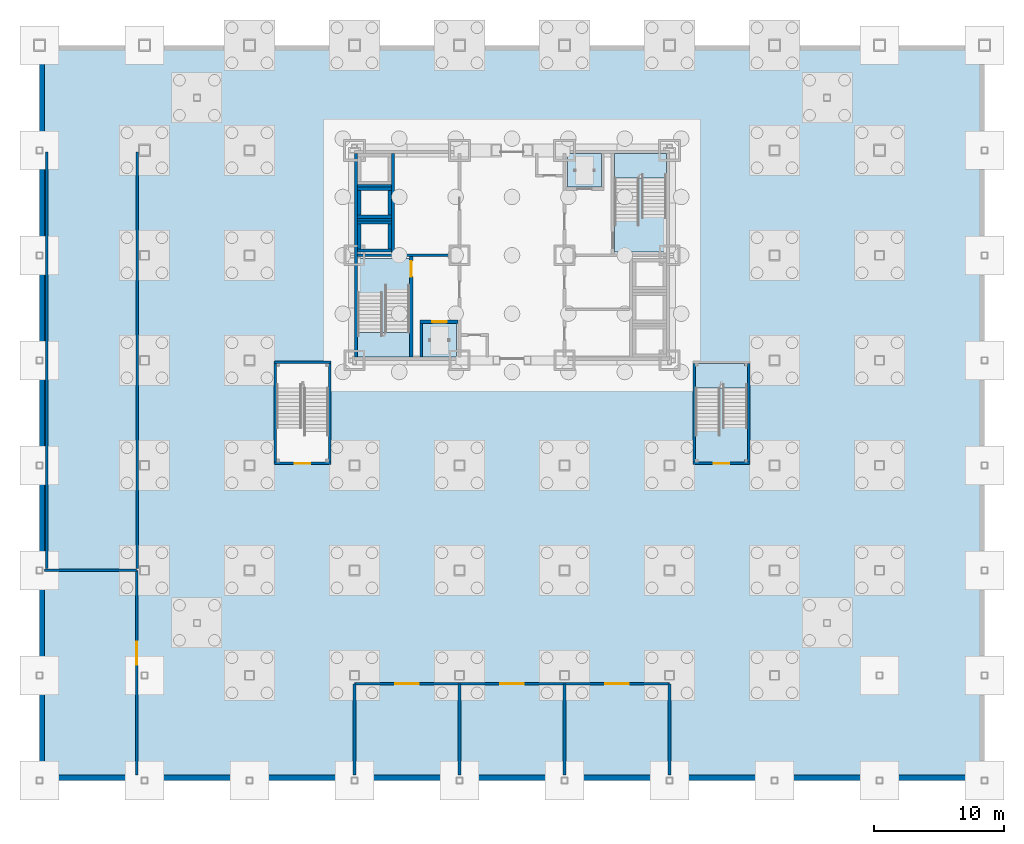
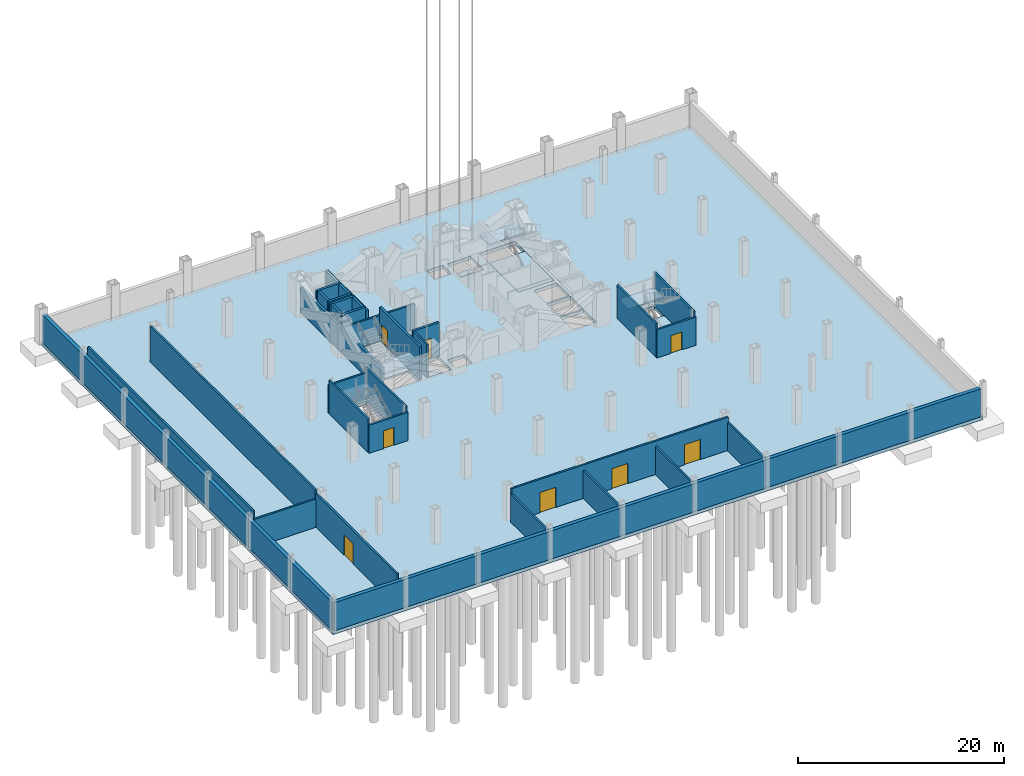
# One storey, part 11 of 17: 34 walls, 9 slabs, 8 doors, 8 openings, 3 elements without a shape of their own.
"""IFC4 building model written with IfcOpenShell, lengths in metres."""

from ifc_helpers import new_model, si_unit, direction, frame, frame_2d, origin, place, context, subcontext, project, spatial, polyline, rectangle, outline, extrude, material, layer, layer_set, type_object, element, fill, aggregate, save


model = new_model("IFC4")

# Units and contexts
model_context = context("Model", 3, precision=1e-05, world=origin(), true_north=direction((0.0, 1.0)))
body_context = subcontext(model_context, "Body", "Model", "MODEL_VIEW")
ifc_project = project(units=[si_unit("LENGTHUNIT", "METRE"), si_unit("AREAUNIT", "SQUARE_METRE"), si_unit("VOLUMEUNIT", "CUBIC_METRE"), si_unit("PLANEANGLEUNIT", "RADIAN"), si_unit("MASSUNIT", "GRAM", prefix="KILO")], contexts=[model_context])

# Site, building, storey
site_placement = place(None, origin())
site = spatial("IfcSite", under=ifc_project, at=site_placement, CompositionType="ELEMENT")
building_placement = place(site_placement, origin())
building = spatial("IfcBuilding", under=site, at=building_placement, Name="Kopane Lantern Tower", CompositionType="ELEMENT")
storey_placement = place(building_placement, frame((0.0, 0.0, -8.39990234375)))
storey = spatial("IfcBuildingStorey", under=building, at=storey_placement, Name="L-02", CompositionType="ELEMENT", Elevation=-8.39990234375)

# Slabs
ifc_material_1 = material(Name="Concrete C40/50", Category="concrete")
ifc_layer_1 = layer(ifc_material_1, 0.300048828125)
ifc_layer_set_1 = layer_set([ifc_layer_1], Name="LIFT PIT SLAB 300")
slab_type_1 = type_object("IfcSlabType", Name="LIFT PIT SLAB 300", PredefinedType="FLOOR", material=ifc_layer_set_1)
slab_1_placement = place(storey_placement, frame((0.0, 0.0, -1.800048828125)))
element("IfcSlab", 1, at=slab_1_placement, inside=storey, type_object=slab_type_1, Name="Lift pit slab LF1", PredefinedType="FLOOR", context=body_context, shape_type="SweptSolid", body=[
    extrude(outline(polyline([(21.449951171875, 24.550048828125), (24.050048828125, 24.550048828125), (24.050048828125, 27.14990234375), (21.449951171875, 27.14990234375), (21.449951171875, 24.550048828125)])), origin(), (0.0, 0.0, 1.0), 0.300048828125),
])
slab_2_placement = place(storey_placement, frame((0.0, 0.0, -1.800048828125)))
element("IfcSlab", 2, at=slab_2_placement, inside=storey, type_object=slab_type_1, Name="Lift pit slab LF2", PredefinedType="FLOOR", context=body_context, shape_type="SweptSolid", body=[
    extrude(outline(polyline([(32.64990234375, 37.64990234375), (35.25, 37.64990234375), (35.25, 40.25), (32.64990234375, 40.25), (32.64990234375, 37.64990234375)])), origin(), (0.0, 0.0, 1.0), 0.300048828125),
])
ifc_material_2 = material(Name="Concrete C40/50", Category="concrete")
ifc_layer_2 = layer(ifc_material_2, 0.39990234375)
ifc_layer_set_2 = layer_set([ifc_layer_2], Name="SLAB 400 BASE")
slab_type_2 = type_object("IfcSlabType", Name="SLAB 400 BASE", PredefinedType="BASESLAB", material=ifc_layer_set_2)
slab_3_placement = place(storey_placement, frame((0.0, 0.0, -0.400146484375)))
element("IfcSlab", 3, at=slab_3_placement, inside=storey, type_object=slab_type_2, Name="Floor slab L-02", PredefinedType="BASESLAB", context=body_context, shape_type="SweptSolid", body=[
    extrude(outline(polyline([(-8.10009765625, -8.10009765625), (64.800048828125, -8.10009765625), (64.800048828125, 48.60009765625), (-8.10009765625, 48.60009765625), (-8.10009765625, -8.10009765625)]), holes=[polyline([(16.449951171875, 24.550048828125), (20.449951171875, 24.550048828125), (20.449951171875, 32.14990234375), (16.449951171875, 32.14990234375), (16.449951171875, 24.550048828125)]), polyline([(36.25, 32.64990234375), (40.25, 32.64990234375), (40.25, 40.25), (36.25, 40.25), (36.25, 32.64990234375)]), polyline([(16.449951171875, 32.64990234375), (19.050048828125, 32.64990234375), (19.050048828125, 35.050048828125), (16.449951171875, 35.050048828125), (16.449951171875, 32.64990234375)]), polyline([(16.449951171875, 35.25), (19.050048828125, 35.25), (19.050048828125, 37.64990234375), (16.449951171875, 37.64990234375), (16.449951171875, 35.25)]), polyline([(16.449951171875, 37.85009765625), (19.050048828125, 37.85009765625), (19.050048828125, 40.25), (16.449951171875, 40.25), (16.449951171875, 37.85009765625)]), polyline([(37.64990234375, 24.550048828125), (40.25, 24.550048828125), (40.25, 26.949951171875), (37.64990234375, 26.949951171875), (37.64990234375, 24.550048828125)]), polyline([(37.64990234375, 27.14990234375), (40.25, 27.14990234375), (40.25, 29.550048828125), (37.64990234375, 29.550048828125), (37.64990234375, 27.14990234375)]), polyline([(37.64990234375, 29.75), (40.25, 29.75), (40.25, 32.14990234375), (37.64990234375, 32.14990234375), (37.64990234375, 29.75)]), polyline([(21.449951171875, 24.550048828125), (24.050048828125, 24.550048828125), (24.050048828125, 27.14990234375), (21.449951171875, 27.14990234375), (21.449951171875, 24.550048828125)]), polyline([(32.64990234375, 37.64990234375), (35.25, 37.64990234375), (35.25, 40.25), (32.64990234375, 40.25), (32.64990234375, 37.64990234375)]), polyline([(24.550048828125, 24.550048828125), (26.35009765625, 24.550048828125), (26.35009765625, 26.14990234375), (24.550048828125, 26.14990234375), (24.550048828125, 24.550048828125)]), polyline([(30.35009765625, 38.64990234375), (32.14990234375, 38.64990234375), (32.14990234375, 40.25), (30.35009765625, 40.25), (30.35009765625, 38.64990234375)]), polyline([(10.199951171875, 16.449951171875), (14.199951171875, 16.449951171875), (14.199951171875, 24.050048828125), (10.199951171875, 24.050048828125), (10.199951171875, 16.449951171875)]), polyline([(42.5, 16.449951171875), (46.5, 16.449951171875), (46.5, 24.050048828125), (42.5, 24.050048828125), (42.5, 16.449951171875)])]), origin(), (0.0, 0.0, 1.0), 0.400146484375),
])

# Stair, slab
ifc_material_3 = material(Name="Steel S355JR", Category="steel")
stair_type = type_object("IfcStairType", Name="EXIT STAIR 1900 HALF TURN", PredefinedType="HALF_TURN_STAIR", material=ifc_material_3)
stair_1_placement = place(storey_placement, origin())
stair_1 = element("IfcStair", 4, at=stair_1_placement, inside=storey, type_object=stair_type, Name="Exit stair ST4 L-02", PredefinedType="HALF_TURN_STAIR")
ifc_material_4 = material(Name="Concrete C40/50", Category="concrete")
ifc_layer_3 = layer(ifc_material_4, 0.39990234375)
ifc_layer_set_3 = layer_set([ifc_layer_3], Name="STAIR BASE LANDING 400")
slab_type_3 = type_object("IfcSlabType", Name="STAIR BASE LANDING 400", PredefinedType="LANDING", material=ifc_layer_set_3)
slab_4_placement = place(storey_placement, frame((0.0, 0.0, -0.400146484375)))
slab_4 = element("IfcSlab", 5, at=slab_4_placement, type_object=slab_type_3, Name="ST4 landing 1", PredefinedType="LANDING", context=body_context, shape_type="SweptSolid", body=[
    extrude(outline(polyline([(46.5, 16.64990234375), (46.5, 22.14990234375), (42.5, 22.14990234375), (42.5, 16.64990234375), (42.699951171875, 16.64990234375), (42.699951171875, 16.449951171875), (46.300048828125, 16.449951171875), (46.300048828125, 16.64990234375), (46.5, 16.64990234375)])), origin(), (0.0, 0.0, 1.0), 0.400146484375),
])

# Stair, slabs
stair_2_placement = place(storey_placement, origin())
stair_2 = element("IfcStair", 6, at=stair_2_placement, inside=storey, type_object=stair_type, Name="Exit stair ST1 L-02", PredefinedType="HALF_TURN_STAIR")
ifc_material_5 = material(Name="Concrete C40/50", Category="concrete")
ifc_layer_4 = layer(ifc_material_5, 0.199951171875)
ifc_layer_set_4 = layer_set([ifc_layer_4], Name="STAIR LANDING 200")
slab_type_4 = type_object("IfcSlabType", Name="STAIR LANDING 200", PredefinedType="LANDING", material=ifc_layer_set_4)
slab_5_placement = place(storey_placement, frame((0.0, 0.0, -0.2001953125)))
slab_5 = element("IfcSlab", 7, at=slab_5_placement, type_object=slab_type_4, Name="ST1 landing 1", PredefinedType="LANDING", context=body_context, shape_type="SweptSolid", body=[
    extrude(outline(polyline([(20.449951171875, 26.449951171875), (20.449951171875, 32.14990234375), (16.449951171875, 32.14990234375), (16.449951171875, 26.449951171875), (20.449951171875, 26.449951171875)])), origin(), (0.0, 0.0, 1.0), 0.2001953125),
])
slab_6_placement = place(storey_placement, frame((0.0, 0.0, 1.98388671875)))
slab_6 = element("IfcSlab", 8, at=slab_6_placement, type_object=slab_type_4, Name="ST1 landing 2", PredefinedType="LANDING", context=body_context, shape_type="SweptSolid", body=[
    extrude(outline(polyline([(20.449951171875, 26.449951171875), (18.550048828125, 26.449951171875), (18.550048828125, 26.169921875), (18.35009765625, 26.169921875), (18.35009765625, 26.449951171875), (16.449951171875, 26.449951171875), (16.449951171875, 24.550048828125), (20.449951171875, 24.550048828125), (20.449951171875, 26.449951171875)])), origin(), (0.0, 0.0, 1.0), 0.199951171875),
])
aggregate(stair_2, [slab_5, slab_6])

stair_3_placement = place(storey_placement, origin())
stair_3 = element("IfcStair", 9, at=stair_3_placement, inside=storey, type_object=stair_type, Name="Exit stair ST2 L-02", PredefinedType="HALF_TURN_STAIR")
slab_7_placement = place(storey_placement, frame((0.0, 0.0, -0.2001953125)))
slab_7 = element("IfcSlab", 10, at=slab_7_placement, type_object=slab_type_4, Name="ST2 landing 1", PredefinedType="LANDING", context=body_context, shape_type="SweptSolid", body=[
    extrude(outline(polyline([(40.25, 32.64990234375), (40.25, 38.35009765625), (36.25, 38.35009765625), (36.25, 32.64990234375), (40.25, 32.64990234375)])), origin(), (0.0, 0.0, 1.0), 0.2001953125),
])
slab_8_placement = place(storey_placement, frame((0.0, 0.0, 1.98388671875)))
slab_8 = element("IfcSlab", 11, at=slab_8_placement, type_object=slab_type_4, Name="ST2 landing 2", PredefinedType="LANDING", context=body_context, shape_type="SweptSolid", body=[
    extrude(outline(polyline([(38.14990234375, 38.6298828125), (38.35009765625, 38.6298828125), (38.35009765625, 38.35009765625), (40.25, 38.35009765625), (40.25, 40.25), (36.25, 40.25), (36.25, 38.35009765625), (38.14990234375, 38.35009765625), (38.14990234375, 38.6298828125)])), origin(), (0.0, 0.0, 1.0), 0.199951171875),
])
aggregate(stair_3, [slab_7, slab_8])

# Slab
slab_9_placement = place(storey_placement, frame((0.0, 0.0, 1.98388671875)))
slab_9 = element("IfcSlab", 12, at=slab_9_placement, type_object=slab_type_4, Name="ST4 landing 2", PredefinedType="LANDING", context=body_context, shape_type="SweptSolid", body=[
    extrude(outline(polyline([(42.699951171875, 23.85009765625), (42.5, 23.85009765625), (42.5, 22.14990234375), (44.39990234375, 22.14990234375), (44.39990234375, 22.429931640625), (44.60009765625, 22.429931640625), (44.60009765625, 22.14990234375), (46.5, 22.14990234375), (46.5, 23.85009765625), (46.300048828125, 23.85009765625), (46.300048828125, 24.050048828125), (42.699951171875, 24.050048828125), (42.699951171875, 23.85009765625)])), origin(), (0.0, 0.0, 1.0), 0.199951171875),
])

aggregate(stair_1, [slab_4, slab_9])

# Walls
ifc_material_6 = material(Name="Concrete C40/50", Category="concrete")
ifc_layer_5 = layer(ifc_material_6, 0.39990234375)
ifc_layer_set_5 = layer_set([ifc_layer_5], Name="BASEMENT RETAINING WALL 400")
wall_type_1 = type_object("IfcWallType", Name="BASEMENT RETAINING WALL 400", PredefinedType="SOLIDWALL", material=ifc_layer_set_5)
wall_1_placement = place(storey_placement, frame((-7.89990234375, -7.89990234375, 0.0), z_axis=(0.0, 0.0, 1.0), x_axis=(1.0, 0.0, 0.0)))
element("IfcWall", 13, at=wall_1_placement, inside=storey, type_object=wall_type_1, Name="Basement Retaining Wall 400 L-02", PredefinedType="SOLIDWALL", context=body_context, shape_type="SweptSolid", body=[
    extrude(rectangle(XDim=72.5, YDim=0.39990234375, at=frame_2d((36.25, 0.0))), origin(), (0.0, 0.0, 1.0), 3.337646484375),
])
wall_2_placement = place(storey_placement, frame((-7.89990234375, 48.39990234375, 0.0), z_axis=(0.0, 0.0, 1.0), x_axis=(0.0, -1.0, 0.0)))
element("IfcWall", 14, at=wall_2_placement, inside=storey, type_object=wall_type_1, Name="Basement Retaining Wall 400 L-02", PredefinedType="SOLIDWALL", context=body_context, shape_type="SweptSolid", body=[
    extrude(rectangle(XDim=56.2998046875, YDim=0.39990234375, at=frame_2d((28.14990234375, 0.0))), origin(), (0.0, 0.0, 1.0), 3.337646484375),
])
ifc_material_7 = material(Name="Gypsum shaft wall EI 120", Category="gypsum")
ifc_layer_6 = layer(ifc_material_7, 0.25)
ifc_layer_set_6 = layer_set([ifc_layer_6], Name="CORE SHAFT WALL 250 EI 120")
wall_type_2 = type_object("IfcWallType", Name="CORE SHAFT WALL 250 EI 120", PredefinedType="SOLIDWALL", material=ifc_layer_set_6)
wall_3_placement = place(storey_placement, frame((16.324951171875, 24.550048828125, 0.0), z_axis=(0.0, 0.0, 1.0), x_axis=(0.0, 1.0, 0.0)))
element("IfcWall", 15, at=wall_3_placement, inside=storey, type_object=wall_type_2, Name="Core shaft wall L-02 PW", PredefinedType="SOLIDWALL", context=body_context, shape_type="SweptSolid", body=[
    extrude(rectangle(XDim=15.699951171875, YDim=0.25, at=frame_2d((7.85009765625, 0.0))), origin(), (0.0, 0.0, 1.0), 2.949951171875),
])

# Wall, opening, door
wall_4_placement = place(storey_placement, frame((20.574951171875, 24.550048828125, 0.0), z_axis=(0.0, 0.0, 1.0), x_axis=(0.0, 1.0, 0.0)))
wall_4 = element("IfcWall", 16, at=wall_4_placement, inside=storey, type_object=wall_type_2, Name="Core shaft wall L-02 XST1", PredefinedType="SOLIDWALL", context=body_context, shape_type="SweptSolid", body=[
    extrude(rectangle(XDim=7.75, YDim=0.25, at=frame_2d((3.875, 0.0))), origin(), (0.0, 0.0, 1.0), 3.949951171875),
])
opening_1_placement = place(wall_4_placement, frame((6.199951171875, 0.0, 0.0)))
opening_1 = element("IfcOpeningElement", 17, at=opening_1_placement, cuts=wall_4, Name="Opening L-02.SD1", PredefinedType="OPENING", context=body_context, shape_type="SweptSolid", body=[
    extrude(rectangle(XDim=1.199951171875, YDim=2.10009765625, at=frame_2d((0.60009765625, 1.050048828125))), frame((0.0, 0.135009765625, 0.0), z_axis=(0.0, -1.0, 0.0), x_axis=(1.0, 0.0, 0.0)), (0.0, 0.0, 1.0), 0.27001953125),
])
ifc_material_8 = material(Name="Steel door set", Category="steel")
door_type_1 = type_object("IfcDoorType", Name="STAIR DOOR 1200x2100 FD60S", OperationType="SINGLE_SWING_LEFT", PredefinedType="DOOR", material=ifc_material_8)
door_1_placement = place(opening_1_placement, origin())
door_1 = element("IfcDoor", 18, at=door_1_placement, inside=storey, type_object=door_type_1, Name="Stair door ST1 L-02", OperationType="SINGLE_SWING_LEFT", OverallHeight=2.10009765625, OverallWidth=1.199951171875, PredefinedType="DOOR", context=body_context, shape_type="SweptSolid", body=[
    extrude(rectangle(XDim=1.199951171875, YDim=2.10009765625, at=frame_2d((0.60009765625, 1.050048828125))), frame((0.0, 0.02490234375, 0.0), z_axis=(0.0, -1.0, 0.0), x_axis=(1.0, 0.0, 0.0)), (0.0, 0.0, 1.0), 0.050048828125),
])
fill(opening_1, door_1)

wall_5_placement = place(storey_placement, frame((21.25, 27.27490234375, 0.0), z_axis=(0.0, 0.0, 1.0), x_axis=(1.0, 0.0, 0.0)))
wall_5 = element("IfcWall", 19, at=wall_5_placement, inside=storey, type_object=wall_type_2, Name="Core shaft wall L-02 YLF1", PredefinedType="SOLIDWALL", context=body_context, shape_type="SweptSolid", body=[
    extrude(rectangle(XDim=2.949951171875, YDim=0.25, at=frame_2d((1.47509765625, 0.0))), origin(), (0.0, 0.0, 1.0), 3.949951171875),
])
opening_2_placement = place(wall_5_placement, frame((0.949951171875, 0.0, 0.0)))
opening_2 = element("IfcOpeningElement", 20, at=opening_2_placement, cuts=wall_5, Name="Opening L-02.LD-LF1", PredefinedType="OPENING", context=body_context, shape_type="SweptSolid", body=[
    extrude(rectangle(XDim=1.10009765625, YDim=2.39990234375, at=frame_2d((0.550048828125, 1.199951171875))), frame((0.0, 0.135009765625, 0.0), z_axis=(0.0, -1.0, 0.0), x_axis=(1.0, 0.0, 0.0)), (0.0, 0.0, 1.0), 0.27001953125),
])
ifc_material_9 = material(Name="Steel door set", Category="steel")
door_type_2 = type_object("IfcDoorType", Name="LIFT LANDING DOOR 1100x2400 FD60", OperationType="DOUBLE_DOOR_SLIDING", PredefinedType="DOOR", material=ifc_material_9)
door_2_placement = place(opening_2_placement, origin())
door_2 = element("IfcDoor", 21, at=door_2_placement, inside=storey, type_object=door_type_2, Name="Landing door LF1 L-02", OperationType="DOUBLE_DOOR_SLIDING", OverallHeight=2.39990234375, OverallWidth=1.10009765625, PredefinedType="DOOR", context=body_context, shape_type="SweptSolid", body=[
    extrude(rectangle(XDim=1.10009765625, YDim=2.39990234375, at=frame_2d((0.550048828125, 1.199951171875))), frame((0.0, 0.02490234375, 0.0), z_axis=(0.0, -1.0, 0.0), x_axis=(1.0, 0.0, 0.0)), (0.0, 0.0, 1.0), 0.050048828125),
])
fill(opening_2, door_2)

# Walls
wall_6_placement = place(storey_placement, frame((19.175048828125, 32.5, 0.0), z_axis=(0.0, 0.0, 1.0), x_axis=(0.0, 1.0, 0.0)))
element("IfcWall", 22, at=wall_6_placement, inside=storey, type_object=wall_type_2, Name="Core shaft wall L-02 XLH", PredefinedType="SOLIDWALL", context=body_context, shape_type="SweptSolid", body=[
    extrude(rectangle(XDim=7.75, YDim=0.25, at=frame_2d((3.875, 0.0))), origin(), (0.0, 0.0, 1.0), 3.949951171875),
])
ifc_material_10 = material(Name="Concrete C40/50", Category="concrete")
ifc_layer_7 = layer(ifc_material_10, 0.25)
ifc_layer_set_7 = layer_set([ifc_layer_7], Name="LIFT PIT WALL 250")
wall_type_3 = type_object("IfcWallType", Name="LIFT PIT WALL 250", PredefinedType="SOLIDWALL", material=ifc_layer_set_7)
for number, where, z_axis, x_axis, name in (
    (23, (16.449951171875, 32.77490234375, -0.400146484375), (0.0, 0.0, 1.0), (1.0, 0.0, 0.0), "Lift pit wall LH1 S"),
    (24, (16.449951171875, 34.925048828125, -0.400146484375), (0.0, 0.0, 1.0), (1.0, 0.0, 0.0), "Lift pit wall LH1 N"),
):
    element("IfcWall", number, at=place(storey_placement, frame(where, z_axis=z_axis, x_axis=x_axis)), inside=storey, type_object=wall_type_3, Name=name, PredefinedType="SOLIDWALL", context=body_context, shape_type="SweptSolid", body=[
        extrude(rectangle(XDim=2.60009765625, YDim=0.25, at=frame_2d((1.300048828125, 0.0))), origin(), (0.0, 0.0, 1.0), 4.60009765625),
    ])
for number, where, z_axis, x_axis, name in (
    (25, (16.574951171875, 32.89990234375, -0.400146484375), (0.0, 0.0, 1.0), (0.0, 1.0, 0.0), "Lift pit wall LH1 W"),
    (26, (18.925048828125, 32.89990234375, -0.400146484375), (0.0, 0.0, 1.0), (0.0, 1.0, 0.0), "Lift pit wall LH1 E"),
):
    element("IfcWall", number, at=place(storey_placement, frame(where, z_axis=z_axis, x_axis=x_axis)), inside=storey, type_object=wall_type_3, Name=name, PredefinedType="SOLIDWALL", context=body_context, shape_type="SweptSolid", body=[
        extrude(rectangle(XDim=1.900146484375, YDim=0.25, at=frame_2d((0.9501953125, 0.0))), origin(), (0.0, 0.0, 1.0), 4.60009765625),
    ])
for number, where, z_axis, x_axis, name in (
    (27, (16.449951171875, 35.375, -0.400146484375), (0.0, 0.0, 1.0), (1.0, 0.0, 0.0), "Lift pit wall LH2 S"),
    (28, (16.449951171875, 37.52490234375, -0.400146484375), (0.0, 0.0, 1.0), (1.0, 0.0, 0.0), "Lift pit wall LH2 N"),
):
    element("IfcWall", number, at=place(storey_placement, frame(where, z_axis=z_axis, x_axis=x_axis)), inside=storey, type_object=wall_type_3, Name=name, PredefinedType="SOLIDWALL", context=body_context, shape_type="SweptSolid", body=[
        extrude(rectangle(XDim=2.60009765625, YDim=0.25, at=frame_2d((1.300048828125, 0.0))), origin(), (0.0, 0.0, 1.0), 4.60009765625),
    ])
for number, where, z_axis, x_axis, name in (
    (29, (16.574951171875, 35.5, -0.400146484375), (0.0, 0.0, 1.0), (0.0, 1.0, 0.0), "Lift pit wall LH2 W"),
    (30, (18.925048828125, 35.5, -0.400146484375), (0.0, 0.0, 1.0), (0.0, 1.0, 0.0), "Lift pit wall LH2 E"),
):
    element("IfcWall", number, at=place(storey_placement, frame(where, z_axis=z_axis, x_axis=x_axis)), inside=storey, type_object=wall_type_3, Name=name, PredefinedType="SOLIDWALL", context=body_context, shape_type="SweptSolid", body=[
        extrude(rectangle(XDim=1.89990234375, YDim=0.25, at=frame_2d((0.949951171875, 0.0))), origin(), (0.0, 0.0, 1.0), 4.60009765625),
    ])

# Wall, openings, doors
ifc_material_11 = material(Name="Concrete masonry", Category="masonry")
ifc_layer_8 = layer(ifc_material_11, 0.199951171875)
ifc_layer_set_8 = layer_set([ifc_layer_8], Name="PLANT ROOM WALL 200 EI 120")
wall_type_4 = type_object("IfcWallType", Name="PLANT ROOM WALL 200 EI 120", PredefinedType="SOLIDWALL", material=ifc_layer_set_8)
wall_7_placement = place(storey_placement, frame((16.199951171875, -0.64990234375, 0.0), z_axis=(0.0, 0.0, 1.0), x_axis=(1.0, 0.0, 0.0)))
wall_7 = element("IfcWall", 31, at=wall_7_placement, inside=storey, type_object=wall_type_4, Name="Plant Room Wall 200 Ei 120 L-02", PredefinedType="SOLIDWALL", context=body_context, shape_type="SweptSolid", body=[
    extrude(rectangle(XDim=24.300048828125, YDim=0.199951171875, at=frame_2d((12.14990234375, 0.0))), origin(), (0.0, 0.0, 1.0), 3.949951171875),
])
opening_3_placement = place(wall_7_placement, frame((3.14990234375, 0.0, 0.0)))
opening_3 = element("IfcOpeningElement", 32, at=opening_3_placement, cuts=wall_7, Name="Opening L-02-001", PredefinedType="OPENING", context=body_context, shape_type="SweptSolid", body=[
    extrude(rectangle(XDim=1.800048828125, YDim=2.39990234375, at=frame_2d((0.89990234375, 1.199951171875))), frame((0.0, 0.10986328125, 0.0), z_axis=(0.0, -1.0, 0.0), x_axis=(1.0, 0.0, 0.0)), (0.0, 0.0, 1.0), 0.219970703125),
])
opening_4_placement = place(wall_7_placement, frame((11.25, 0.0, 0.0)))
opening_4 = element("IfcOpeningElement", 33, at=opening_4_placement, cuts=wall_7, Name="Opening L-02-002", PredefinedType="OPENING", context=body_context, shape_type="SweptSolid", body=[
    extrude(rectangle(XDim=1.800048828125, YDim=2.39990234375, at=frame_2d((0.89990234375, 1.199951171875))), frame((0.0, 0.10986328125, 0.0), z_axis=(0.0, -1.0, 0.0), x_axis=(1.0, 0.0, 0.0)), (0.0, 0.0, 1.0), 0.219970703125),
])
opening_5_placement = place(wall_7_placement, frame((19.35009765625, 0.0, 0.0)))
opening_5 = element("IfcOpeningElement", 34, at=opening_5_placement, cuts=wall_7, Name="Opening L-02-003", PredefinedType="OPENING", context=body_context, shape_type="SweptSolid", body=[
    extrude(rectangle(XDim=1.800048828125, YDim=2.39990234375, at=frame_2d((0.89990234375, 1.199951171875))), frame((0.0, 0.10986328125, 0.0), z_axis=(0.0, -1.0, 0.0), x_axis=(1.0, 0.0, 0.0)), (0.0, 0.0, 1.0), 0.219970703125),
])
ifc_material_12 = material(Name="Steel door set", Category="steel")
door_type_3 = type_object("IfcDoorType", Name="DOOR D8 1800x2400 FD120", OperationType="SINGLE_SWING_LEFT", PredefinedType="DOOR", material=ifc_material_12)
door_3_placement = place(opening_3_placement, origin())
door_3 = element("IfcDoor", 35, at=door_3_placement, inside=storey, type_object=door_type_3, Name="Door L-02-001", OperationType="DOUBLE_DOOR_SINGLE_SWING", OverallHeight=2.39990234375, OverallWidth=1.800048828125, PredefinedType="DOOR", context=body_context, shape_type="SweptSolid", body=[
    extrude(rectangle(XDim=1.800048828125, YDim=2.39990234375, at=frame_2d((0.89990234375, 1.199951171875))), frame((0.0, 0.02490234375, 0.0), z_axis=(0.0, -1.0, 0.0), x_axis=(1.0, 0.0, 0.0)), (0.0, 0.0, 1.0), 0.050048828125),
])
fill(opening_3, door_3)
door_4_placement = place(opening_4_placement, origin())
door_4 = element("IfcDoor", 36, at=door_4_placement, inside=storey, type_object=door_type_3, Name="Door L-02-002", OperationType="DOUBLE_DOOR_SINGLE_SWING", OverallHeight=2.39990234375, OverallWidth=1.800048828125, PredefinedType="DOOR", context=body_context, shape_type="SweptSolid", body=[
    extrude(rectangle(XDim=1.800048828125, YDim=2.39990234375, at=frame_2d((0.89990234375, 1.199951171875))), frame((0.0, 0.02490234375, 0.0), z_axis=(0.0, -1.0, 0.0), x_axis=(1.0, 0.0, 0.0)), (0.0, 0.0, 1.0), 0.050048828125),
])
fill(opening_4, door_4)
door_5_placement = place(opening_5_placement, origin())
door_5 = element("IfcDoor", 37, at=door_5_placement, inside=storey, type_object=door_type_3, Name="Door L-02-003", OperationType="DOUBLE_DOOR_SINGLE_SWING", OverallHeight=2.39990234375, OverallWidth=1.800048828125, PredefinedType="DOOR", context=body_context, shape_type="SweptSolid", body=[
    extrude(rectangle(XDim=1.800048828125, YDim=2.39990234375, at=frame_2d((0.89990234375, 1.199951171875))), frame((0.0, 0.02490234375, 0.0), z_axis=(0.0, -1.0, 0.0), x_axis=(1.0, 0.0, 0.0)), (0.0, 0.0, 1.0), 0.050048828125),
])
fill(opening_5, door_5)

# Walls
for number, where, z_axis, x_axis, name in (
    (38, (16.199951171875, -7.699951171875, 0.0), (0.0, 0.0, 1.0), (0.0, 1.0, 0.0), "Plant Room Wall 200 Ei 120 L-02"),
    (39, (24.300048828125, -7.699951171875, 0.0), (0.0, 0.0, 1.0), (0.0, 1.0, 0.0), "Plant Room Wall 200 Ei 120 L-02"),
    (40, (32.39990234375, -7.699951171875, 0.0), (0.0, 0.0, 1.0), (0.0, 1.0, 0.0), "Plant Room Wall 200 Ei 120 L-02"),
    (41, (40.5, -7.699951171875, 0.0), (0.0, 0.0, 1.0), (0.0, 1.0, 0.0), "Plant Room Wall 200 Ei 120 L-02"),
):
    element("IfcWall", number, at=place(storey_placement, frame(where, z_axis=z_axis, x_axis=x_axis)), inside=storey, type_object=wall_type_4, Name=name, PredefinedType="SOLIDWALL", context=body_context, shape_type="SweptSolid", body=[
        extrude(rectangle(XDim=7.050048828125, YDim=0.199951171875, at=frame_2d((3.52490234375, 0.0))), origin(), (0.0, 0.0, 1.0), 3.337646484375),
    ])
wall_8_placement = place(storey_placement, frame((-7.699951171875, 8.10009765625, 0.0), z_axis=(0.0, 0.0, 1.0), x_axis=(1.0, 0.0, 0.0)))
element("IfcWall", 42, at=wall_8_placement, inside=storey, type_object=wall_type_4, Name="Plant Room Wall 200 Ei 120 L-02", PredefinedType="SOLIDWALL", context=body_context, shape_type="SweptSolid", body=[
    extrude(rectangle(XDim=7.099853515625, YDim=0.199951171875, at=frame_2d((3.5498046875, 0.0))), origin(), (0.0, 0.0, 1.0), 3.337646484375),
])

# Wall, opening, door
wall_9_placement = place(storey_placement, frame((-0.60009765625, -7.699951171875, 0.0), z_axis=(0.0, 0.0, 1.0), x_axis=(0.0, 1.0, 0.0)))
wall_9 = element("IfcWall", 43, at=wall_9_placement, inside=storey, type_object=wall_type_4, Name="Plant Room Wall 200 Ei 120 L-02", PredefinedType="SOLIDWALL", context=body_context, shape_type="SweptSolid", body=[
    extrude(rectangle(XDim=15.800048828125, YDim=0.199951171875, at=frame_2d((7.89990234375, 0.0))), origin(), (0.0, 0.0, 1.0), 3.949951171875),
])
opening_6_placement = place(wall_9_placement, frame((8.5, 0.0, 0.0)))
opening_6 = element("IfcOpeningElement", 44, at=opening_6_placement, cuts=wall_9, Name="Opening L-02-004", PredefinedType="OPENING", context=body_context, shape_type="SweptSolid", body=[
    extrude(rectangle(XDim=1.800048828125, YDim=2.39990234375, at=frame_2d((0.89990234375, 1.199951171875))), frame((0.0, 0.10986328125, 0.0), z_axis=(0.0, -1.0, 0.0), x_axis=(1.0, 0.0, 0.0)), (0.0, 0.0, 1.0), 0.219970703125),
])
door_6_placement = place(opening_6_placement, origin())
door_6 = element("IfcDoor", 45, at=door_6_placement, inside=storey, type_object=door_type_3, Name="Door L-02-004", OperationType="DOUBLE_DOOR_SINGLE_SWING", OverallHeight=2.39990234375, OverallWidth=1.800048828125, PredefinedType="DOOR", context=body_context, shape_type="SweptSolid", body=[
    extrude(rectangle(XDim=1.800048828125, YDim=2.39990234375, at=frame_2d((0.89990234375, 1.199951171875))), frame((0.0, 0.02490234375, 0.0), z_axis=(0.0, -1.0, 0.0), x_axis=(1.0, 0.0, 0.0)), (0.0, 0.0, 1.0), 0.050048828125),
])
fill(opening_6, door_6)

# Walls
ifc_material_13 = material(Name="Concrete C40/50", Category="concrete")
ifc_layer_9 = layer(ifc_material_13, 0.199951171875)
ifc_layer_set_9 = layer_set([ifc_layer_9], Name="Concrete C40/50")
wall_type_5 = type_object("IfcWallType", Name="RAMP SIDE WALL 200", PredefinedType="PARTITIONING", material=ifc_layer_set_9)
for number, where, z_axis, x_axis, name in (
    (46, (-0.550048828125, 8.25, 0.0), (0.0, 0.0, 1.0), (0.0, 1.0, 0.0), "Ramp side wall L-01 L-02"),
    (47, (-7.550048828125, 8.25, 0.0), (0.0, 0.0, 1.0), (0.0, 1.0, 0.0), "Ramp side wall L-01 L-02"),
):
    element("IfcWall", number, at=place(storey_placement, frame(where, z_axis=z_axis, x_axis=x_axis)), inside=storey, type_object=wall_type_5, Name=name, PredefinedType="PARTITIONING", context=body_context, shape_type="SweptSolid", body=[
        extrude(rectangle(XDim=32.10009765625, YDim=0.199951171875, at=frame_2d((16.050048828125, 0.0))), origin(), (0.0, 0.0, 1.0), 4.199951171875),
    ])
ifc_material_14 = material(Name="Gypsum shaft wall EI 120", Category="gypsum")
ifc_layer_10 = layer(ifc_material_14, 0.199951171875)
ifc_layer_set_10 = layer_set([ifc_layer_10], Name="SHAFT WALL 200 EI 120")
wall_type_6 = type_object("IfcWallType", Name="SHAFT WALL 200 EI 120", PredefinedType="SOLIDWALL", material=ifc_layer_set_10)
wall_10_placement = place(storey_placement, frame((16.449951171875, 32.39990234375, 0.0), z_axis=(0.0, 0.0, 1.0), x_axis=(1.0, 0.0, 0.0)))
element("IfcWall", 48, at=wall_10_placement, inside=storey, type_object=wall_type_6, Name="Core shaft wall L-02 Y324W", PredefinedType="SOLIDWALL", context=body_context, shape_type="SweptSolid", body=[
    extrude(rectangle(XDim=7.949951171875, YDim=0.199951171875, at=frame_2d((3.97509765625, 0.0))), origin(), (0.0, 0.0, 1.0), 2.949951171875),
])
wall_11_placement = place(storey_placement, frame((21.35009765625, 24.550048828125, 0.0), z_axis=(0.0, 0.0, 1.0), x_axis=(0.0, 1.0, 0.0)))
element("IfcWall", 49, at=wall_11_placement, inside=storey, type_object=wall_type_6, Name="Core shaft wall L-02 XLF1", PredefinedType="SOLIDWALL", context=body_context, shape_type="SweptSolid", body=[
    extrude(rectangle(XDim=2.599853515625, YDim=0.199951171875, at=frame_2d((1.2998046875, 0.0))), origin(), (0.0, 0.0, 1.0), 3.949951171875),
])
for number, where, z_axis, x_axis, name in (
    (50, (16.449951171875, 35.14990234375, 0.0), (0.0, 0.0, 1.0), (1.0, 0.0, 0.0), "Core shaft wall L-02 YLH12"),
    (51, (16.449951171875, 37.75, 0.0), (0.0, 0.0, 1.0), (1.0, 0.0, 0.0), "Core shaft wall L-02 YLH23"),
):
    element("IfcWall", number, at=place(storey_placement, frame(where, z_axis=z_axis, x_axis=x_axis)), inside=storey, type_object=wall_type_6, Name=name, PredefinedType="SOLIDWALL", context=body_context, shape_type="SweptSolid", body=[
        extrude(rectangle(XDim=2.60009765625, YDim=0.199951171875, at=frame_2d((1.300048828125, 0.0))), origin(), (0.0, 0.0, 1.0), 3.949951171875),
    ])

# Wall, opening, door
wall_12_placement = place(storey_placement, frame((10.0, 16.35009765625, 0.0), z_axis=(0.0, 0.0, 1.0), x_axis=(1.0, 0.0, 0.0)))
wall_12 = element("IfcWall", 52, at=wall_12_placement, inside=storey, type_object=wall_type_6, Name="Stair enclosure wall ST3 L-02", PredefinedType="SOLIDWALL", context=body_context, shape_type="SweptSolid", body=[
    extrude(rectangle(XDim=4.39990234375, YDim=0.199951171875, at=frame_2d((2.199951171875, 0.0))), origin(), (0.0, 0.0, 1.0), 3.337646484375),
])
opening_7_placement = place(wall_12_placement, frame((1.60009765625, 0.0, 0.0)))
opening_7 = element("IfcOpeningElement", 53, at=opening_7_placement, cuts=wall_12, Name="Opening L-02.SD3", PredefinedType="OPENING", context=body_context, shape_type="SweptSolid", body=[
    extrude(rectangle(XDim=1.199951171875, YDim=2.10009765625, at=frame_2d((0.60009765625, 1.050048828125))), frame((0.0, 0.10986328125, 0.0), z_axis=(0.0, -1.0, 0.0), x_axis=(1.0, 0.0, 0.0)), (0.0, 0.0, 1.0), 0.219970703125),
])
door_7_placement = place(opening_7_placement, origin())
door_7 = element("IfcDoor", 54, at=door_7_placement, inside=storey, type_object=door_type_1, Name="Stair door ST3 L-02", OperationType="SINGLE_SWING_LEFT", OverallHeight=2.10009765625, OverallWidth=1.199951171875, PredefinedType="DOOR", context=body_context, shape_type="SweptSolid", body=[
    extrude(rectangle(XDim=1.199951171875, YDim=2.10009765625, at=frame_2d((0.60009765625, 1.050048828125))), frame((0.0, 0.02490234375, 0.0), z_axis=(0.0, -1.0, 0.0), x_axis=(1.0, 0.0, 0.0)), (0.0, 0.0, 1.0), 0.050048828125),
])
fill(opening_7, door_7)

# Walls
wall_13_placement = place(storey_placement, frame((10.0, 24.14990234375, 0.0), z_axis=(0.0, 0.0, 1.0), x_axis=(1.0, 0.0, 0.0)))
element("IfcWall", 55, at=wall_13_placement, inside=storey, type_object=wall_type_6, Name="Stair enclosure wall ST3 L-02", PredefinedType="SOLIDWALL", context=body_context, shape_type="SweptSolid", body=[
    extrude(rectangle(XDim=4.39990234375, YDim=0.199951171875, at=frame_2d((2.199951171875, 0.0))), origin(), (0.0, 0.0, 1.0), 3.337646484375),
])
for number, where, z_axis, x_axis, name in (
    (56, (10.10009765625, 16.449951171875, 0.0), (0.0, 0.0, 1.0), (0.0, 1.0, 0.0), "Stair enclosure wall ST3 L-02"),
    (57, (14.300048828125, 16.449951171875, 0.0), (0.0, 0.0, 1.0), (0.0, 1.0, 0.0), "Stair enclosure wall ST3 L-02"),
):
    element("IfcWall", number, at=place(storey_placement, frame(where, z_axis=z_axis, x_axis=x_axis)), inside=storey, type_object=wall_type_6, Name=name, PredefinedType="SOLIDWALL", context=body_context, shape_type="SweptSolid", body=[
        extrude(rectangle(XDim=7.60009765625, YDim=0.199951171875, at=frame_2d((3.800048828125, 0.0))), origin(), (0.0, 0.0, 1.0), 3.949951171875),
    ])

# Wall, opening, door
wall_14_placement = place(storey_placement, frame((42.300048828125, 16.35009765625, 0.0), z_axis=(0.0, 0.0, 1.0), x_axis=(1.0, 0.0, 0.0)))
wall_14 = element("IfcWall", 58, at=wall_14_placement, inside=storey, type_object=wall_type_6, Name="Stair enclosure wall ST4 L-02", PredefinedType="SOLIDWALL", context=body_context, shape_type="SweptSolid", body=[
    extrude(rectangle(XDim=4.39990234375, YDim=0.199951171875, at=frame_2d((2.199951171875, 0.0))), origin(), (0.0, 0.0, 1.0), 3.337646484375),
])
opening_8_placement = place(wall_14_placement, frame((1.60009765625, 0.0, 0.0)))
opening_8 = element("IfcOpeningElement", 59, at=opening_8_placement, cuts=wall_14, Name="Opening L-02.SD4", PredefinedType="OPENING", context=body_context, shape_type="SweptSolid", body=[
    extrude(rectangle(XDim=1.199951171875, YDim=2.10009765625, at=frame_2d((0.60009765625, 1.050048828125))), frame((0.0, 0.10986328125, 0.0), z_axis=(0.0, -1.0, 0.0), x_axis=(1.0, 0.0, 0.0)), (0.0, 0.0, 1.0), 0.219970703125),
])
door_8_placement = place(opening_8_placement, origin())
door_8 = element("IfcDoor", 60, at=door_8_placement, inside=storey, type_object=door_type_1, Name="Stair door ST4 L-02", OperationType="SINGLE_SWING_LEFT", OverallHeight=2.10009765625, OverallWidth=1.199951171875, PredefinedType="DOOR", context=body_context, shape_type="SweptSolid", body=[
    extrude(rectangle(XDim=1.199951171875, YDim=2.10009765625, at=frame_2d((0.60009765625, 1.050048828125))), frame((0.0, 0.02490234375, 0.0), z_axis=(0.0, -1.0, 0.0), x_axis=(1.0, 0.0, 0.0)), (0.0, 0.0, 1.0), 0.050048828125),
])
fill(opening_8, door_8)

# Walls
for number, where, z_axis, x_axis, name in (
    (61, (42.39990234375, 16.449951171875, 0.0), (0.0, 0.0, 1.0), (0.0, 1.0, 0.0), "Stair enclosure wall ST4 L-02"),
    (62, (46.60009765625, 16.449951171875, 0.0), (0.0, 0.0, 1.0), (0.0, 1.0, 0.0), "Stair enclosure wall ST4 L-02"),
):
    element("IfcWall", number, at=place(storey_placement, frame(where, z_axis=z_axis, x_axis=x_axis)), inside=storey, type_object=wall_type_6, Name=name, PredefinedType="SOLIDWALL", context=body_context, shape_type="SweptSolid", body=[
        extrude(rectangle(XDim=7.60009765625, YDim=0.199951171875, at=frame_2d((3.800048828125, 0.0))), origin(), (0.0, 0.0, 1.0), 3.949951171875),
    ])

save(model, "model.ifc")
